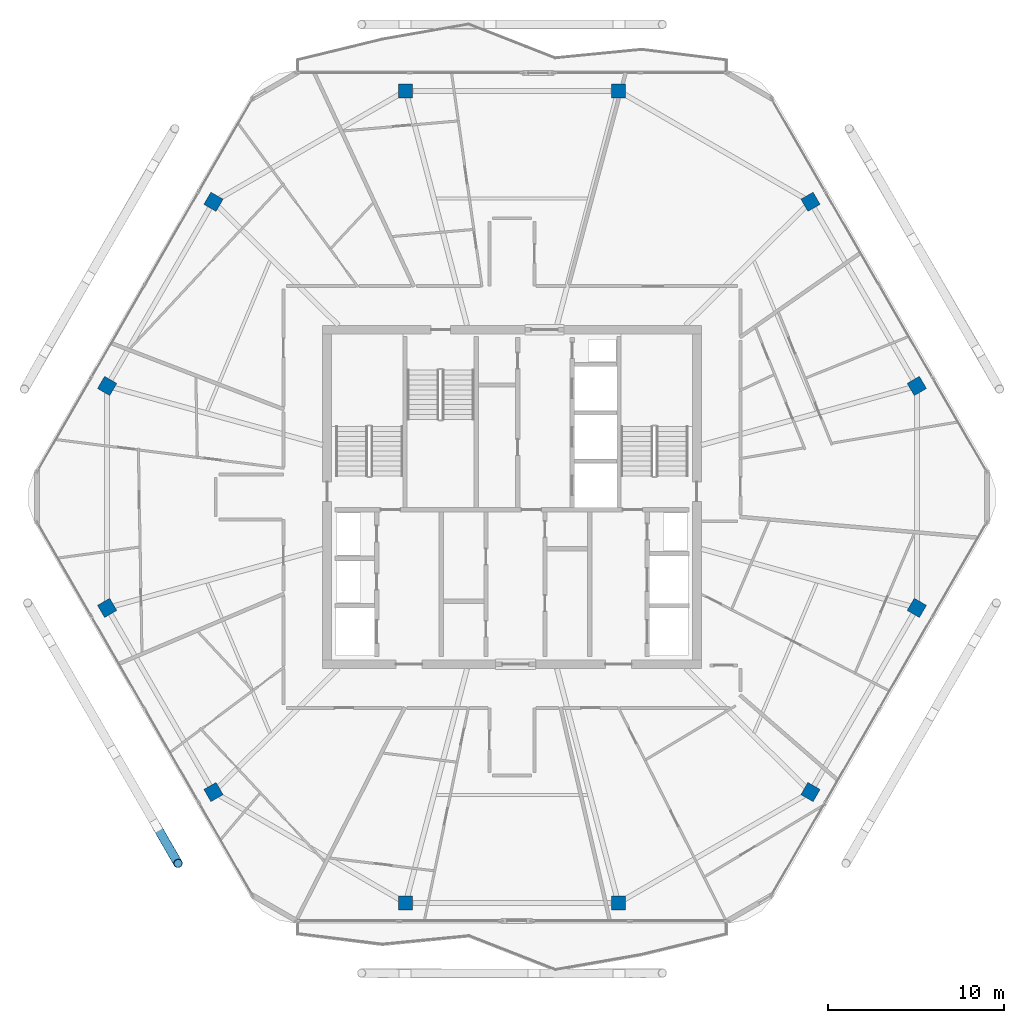
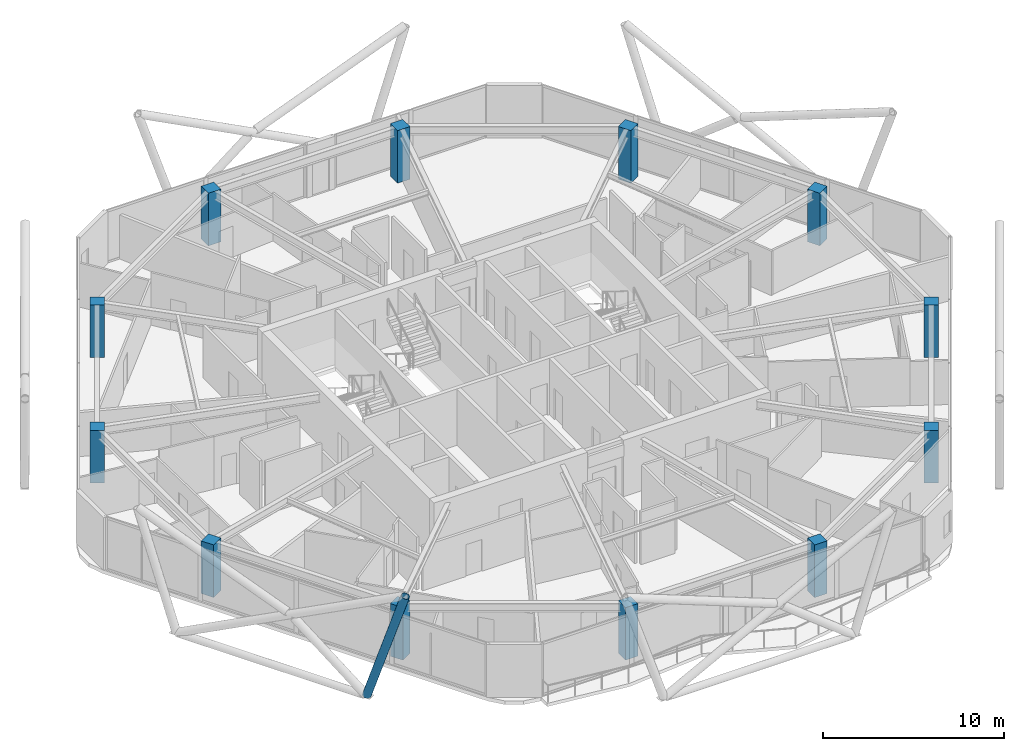
# One storey, part 1 of 23: 12 columns, 1 member.
"""IFC4 building model written with IfcOpenShell, lengths in metres."""

from ifc_helpers import new_model, si_unit, direction, frame, origin, origin_2d, place, context, subcontext, project, spatial, rectangle, hollow_circle, extrude, material, material_profile, profile_set, type_object, element, save


model = new_model("IFC4")

# Units and contexts
model_context = context("Model", 3, precision=1e-05, world=origin(), true_north=direction((0.0, 1.0)))
body_context = subcontext(model_context, "Body", "Model", "MODEL_VIEW")
ifc_project = project(units=[si_unit("LENGTHUNIT", "METRE"), si_unit("AREAUNIT", "SQUARE_METRE"), si_unit("VOLUMEUNIT", "CUBIC_METRE"), si_unit("PLANEANGLEUNIT", "RADIAN"), si_unit("MASSUNIT", "GRAM", prefix="KILO")], contexts=[model_context])

# Site, building, storey
site_placement = place(None, origin())
site = spatial("IfcSite", under=ifc_project, at=site_placement, CompositionType="ELEMENT")
building_placement = place(site_placement, origin())
building = spatial("IfcBuilding", under=site, at=building_placement, Name="Zuhravey Tower", CompositionType="ELEMENT")
storey_placement = place(building_placement, frame((0.0, 0.0, 323.39990234375)))
storey = spatial("IfcBuildingStorey", under=building, at=storey_placement, Name="L82", CompositionType="ELEMENT", Elevation=323.39990234375)

# Columns
ifc_material_1 = material(Name="Concrete C50/60", Category="concrete")
ifc_material_profile_1 = material_profile(ifc_material_1, rectangle(XDim=0.800048828125, YDim=0.800048828125, at=origin_2d()), Name="RC-800x800")
ifc_profile_set_1 = profile_set([ifc_material_profile_1], Name="Concrete C50/60")
column_type = type_object("IfcColumnType", Name="Zone 4 Perimeter Column 800x800", PredefinedType="COLUMN", material=ifc_profile_set_1)
for number, where, z_axis, x_axis, name in (
    (1, (58.993408203125, 38.302490234375, 0.0), (0.0, 0.0, 1.0), (-0.5, 0.866025403784, 0.0), "L82 Perimeter Column PC01"),
    (2, (52.95458984375, 48.76171875, 0.0), (0.0, 0.0, 1.0), (-0.5, 0.866025403784, 0.0), "L82 Perimeter Column PC02"),
    (3, (42.038818359375, 55.064208984375, 0.0), (0.0, 0.0, 1.0), (-1.0, 0.0, 0.0), "L82 Perimeter Column PC03"),
    (4, (29.961181640625, 55.064208984375, 0.0), (0.0, 0.0, 1.0), (-1.0, 0.0, 0.0), "L82 Perimeter Column PC04"),
    (5, (19.04541015625, 48.76171875, 0.0), (0.0, 0.0, 1.0), (-0.5, -0.866025403784, 0.0), "L82 Perimeter Column PC05"),
    (6, (13.006591796875, 38.302490234375, 0.0), (0.0, 0.0, 1.0), (-0.5, -0.866025403784, 0.0), "L82 Perimeter Column PC06"),
    (7, (13.006591796875, 25.697509765625, 0.0), (0.0, 0.0, 1.0), (0.5, -0.866025403784, 0.0), "L82 Perimeter Column PC07"),
    (8, (19.04541015625, 15.23828125, 0.0), (0.0, 0.0, 1.0), (0.5, -0.866025403784, 0.0), "L82 Perimeter Column PC08"),
    (9, (29.961181640625, 8.935791015625, 0.0), (0.0, 0.0, 1.0), (1.0, 0.0, 0.0), "L82 Perimeter Column PC09"),
    (10, (42.038818359375, 8.935791015625, 0.0), (0.0, 0.0, 1.0), (1.0, 0.0, 0.0), "L82 Perimeter Column PC10"),
    (11, (52.95458984375, 15.23828125, 0.0), (0.0, 0.0, 1.0), (0.5, 0.866025403784, 0.0), "L82 Perimeter Column PC11"),
    (12, (58.993408203125, 25.697509765625, 0.0), (0.0, 0.0, 1.0), (0.5, 0.866025403784, 0.0), "L82 Perimeter Column PC12"),
):
    element("IfcColumn", number, at=place(storey_placement, frame(where, z_axis=z_axis, x_axis=x_axis)), inside=storey, type_object=column_type, Name=name, PredefinedType="COLUMN", context=body_context, shape_type="SweptSolid", body=[
        extrude(rectangle(XDim=0.800048828125, YDim=0.800048828125, at=origin_2d()), origin(), (0.0, 0.0, 1.0), 3.550048828125),
    ])

# Member
ifc_material_2 = material(Name="Steel SM355", Category="steel")
ifc_material_profile_2 = material_profile(ifc_material_2, hollow_circle(Radius=0.25390625, WallThickness=0.02490234375, at=origin_2d()), Name="CHS-508.0x25")
ifc_profile_set_2 = profile_set([ifc_material_profile_2], Name="Steel SM355")
member_type = type_object("IfcMemberType", Name="Exoskeleton Zone 4 Diagrid CHS508x25", PredefinedType="BRACE", material=ifc_profile_set_2)
member_placement = place(storey_placement, frame((15.79736328125, 13.323974609375, -0.447998046875), z_axis=(0.155226445416, -0.268871093126, 0.950585654176), x_axis=(0.866034263809, 0.499984653673, 0.0)))
element("IfcMember", 13, at=member_placement, inside=storey, type_object=member_type, Name="L82 Face 4 Diagrid Brace 4", PredefinedType="BRACE", context=body_context, shape_type="SweptSolid", body=[
    extrude(hollow_circle(Radius=0.25390625, WallThickness=0.02490234375, at=origin_2d()), origin(), (0.0, 0.0, 1.0), 7.96142578125),
])

save(model, "model.ifc")
